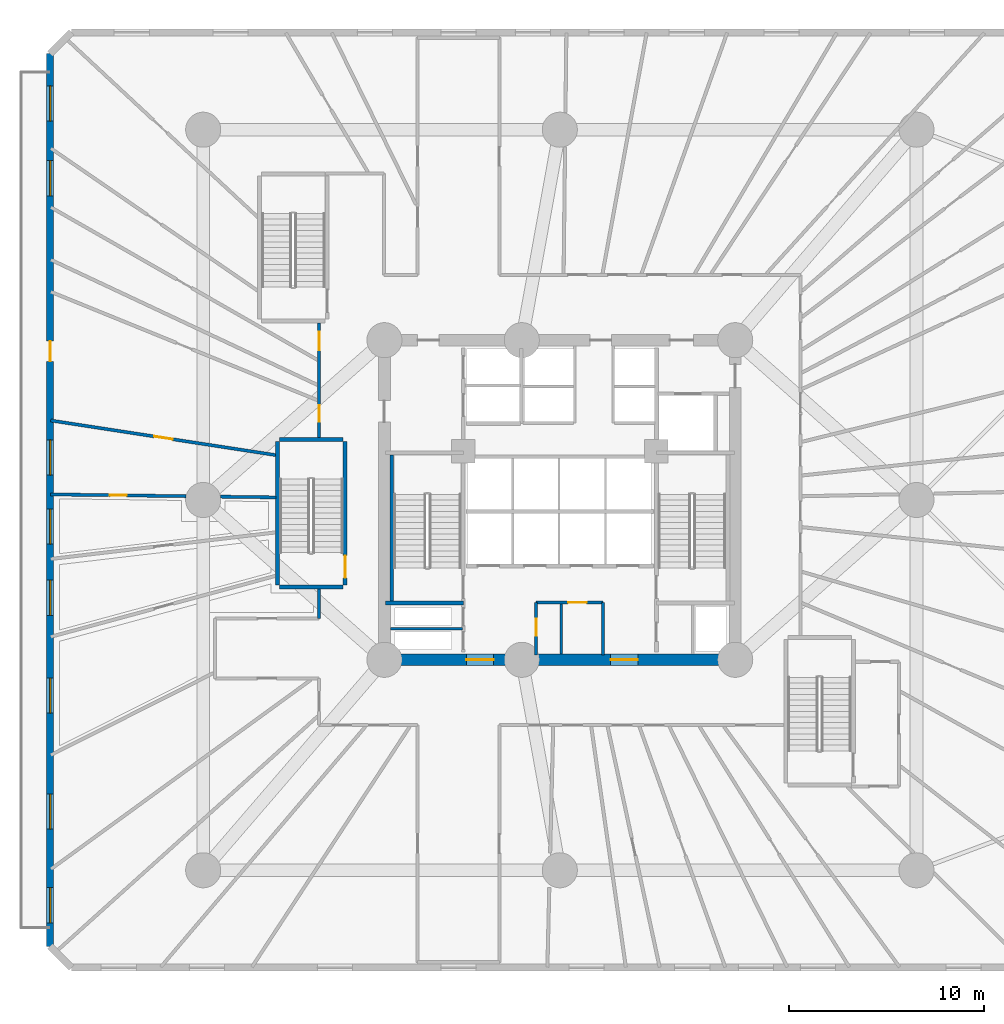
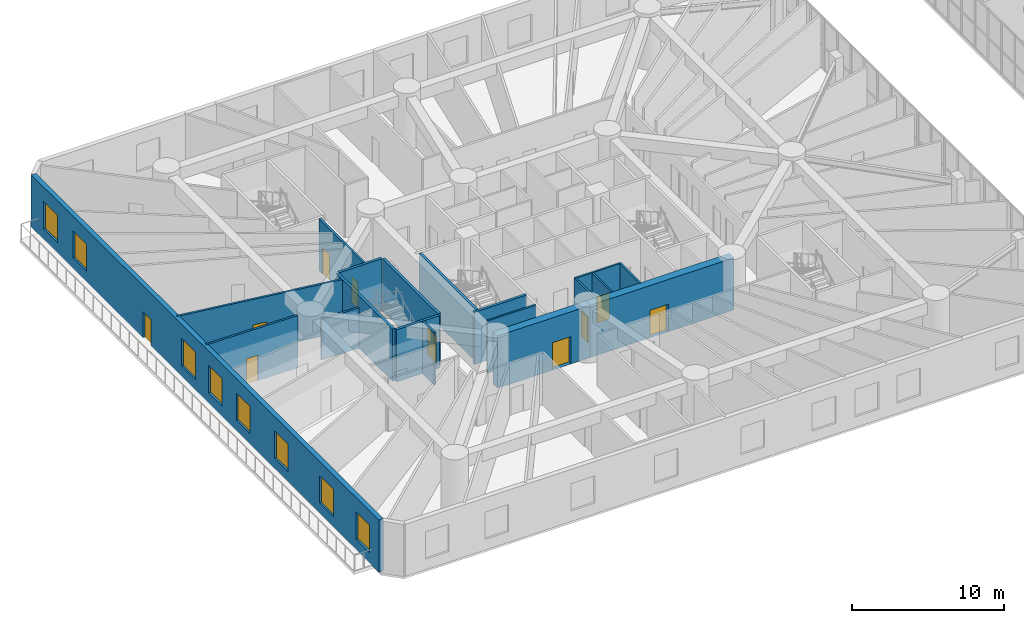
# One storey, part 14 of 26: 19 walls, 10 doors, 8 windows, 18 openings.
"""IFC4 building model written with IfcOpenShell, lengths in metres."""

from ifc_helpers import new_model, si_unit, direction, frame, frame_2d, origin, origin_with_axes, place, context, subcontext, project, spatial, rectangle, extrude, source, transform, mapped, material, layer, layer_set, type_object, element, fill, save


model = new_model("IFC4")

# Units and contexts
model_context = context("Model", 3, precision=1e-05, world=origin(), true_north=direction((0.0, 1.0)))
body_context = subcontext(model_context, "Body", "Model", "MODEL_VIEW")
ifc_project = project(units=[si_unit("LENGTHUNIT", "METRE"), si_unit("AREAUNIT", "SQUARE_METRE"), si_unit("VOLUMEUNIT", "CUBIC_METRE"), si_unit("PLANEANGLEUNIT", "RADIAN"), si_unit("MASSUNIT", "GRAM", prefix="KILO")], contexts=[model_context])

# Site, building, storey
site_placement = place(None, origin())
site = spatial("IfcSite", under=ifc_project, at=site_placement, CompositionType="ELEMENT")
building_placement = place(site_placement, origin())
building = spatial("IfcBuilding", under=site, at=building_placement, Name="Karkom Vertical University and Central Library", CompositionType="ELEMENT")
storey_placement = place(building_placement, frame((0.0, 0.0, 4.5)))
storey = spatial("IfcBuildingStorey", under=building, at=storey_placement, Name="L01", CompositionType="ELEMENT", Elevation=4.5)

# Wall, openings, windows, door
ifc_material_1 = material(Name="Brick masonry 360mm insulated cavity", Category="masonry")
ifc_layer_1 = layer(ifc_material_1, 0.360107421875)
ifc_layer_set_1 = layer_set([ifc_layer_1], Name="Brick masonry 360mm insulated cavity")
wall_type_1 = type_object("IfcWallType", Name="ENV-WL-BRK-360", PredefinedType="SOLIDWALL", material=ifc_layer_set_1)
wall_1_placement = place(storey_placement, frame((2.35009765625, 49.39990234375, 0.0), z_axis=(0.0, 0.0, 1.0), x_axis=(0.0, -1.0, 0.0)))
wall_1 = element("IfcWall", 1, at=wall_1_placement, inside=storey, type_object=wall_type_1, Name="Level 01 POD Terracotta Brick Facade Wall 07", PredefinedType="SOLIDWALL", context=body_context, shape_type="SweptSolid", body=[
    extrude(rectangle(XDim=45.7998046875, YDim=0.360107421875, at=frame_2d((22.89990234375, 0.0))), origin(), (0.0, 0.0, 1.0), 4.199951171875),
])
opening_1_placement = place(wall_1_placement, frame((1.655029296875, 0.0, 0.85009765625)))
opening_1 = element("IfcOpeningElement", 2, at=opening_1_placement, cuts=wall_1, Name="Opening WN-01", PredefinedType="OPENING", context=body_context, shape_type="SweptSolid", body=[
    extrude(rectangle(XDim=1.800048828125, YDim=2.199951171875, at=frame_2d((0.89990234375, 1.10009765625))), frame((0.0, 0.18994140625, 0.0), z_axis=(0.0, -1.0, 0.0), x_axis=(1.0, 0.0, 0.0)), (0.0, 0.0, 1.0), 0.380126953125),
])
opening_2_placement = place(wall_1_placement, frame((5.4892578125, 0.0, 0.85009765625)))
opening_2 = element("IfcOpeningElement", 3, at=opening_2_placement, cuts=wall_1, Name="Opening WN-01", PredefinedType="OPENING", context=body_context, shape_type="SweptSolid", body=[
    extrude(rectangle(XDim=1.800048828125, YDim=2.199951171875, at=frame_2d((0.89990234375, 1.10009765625))), frame((0.0, 0.18994140625, 0.0), z_axis=(0.0, -1.0, 0.0), x_axis=(1.0, 0.0, 0.0)), (0.0, 0.0, 1.0), 0.380126953125),
])
opening_3_placement = place(wall_1_placement, frame((19.81982421875, 0.0, 0.85009765625)))
opening_3 = element("IfcOpeningElement", 4, at=opening_3_placement, cuts=wall_1, Name="Opening WN-01", PredefinedType="OPENING", context=body_context, shape_type="SweptSolid", body=[
    extrude(rectangle(XDim=1.800048828125, YDim=2.199951171875, at=frame_2d((0.89990234375, 1.10009765625))), frame((0.0, 0.18994140625, 0.0), z_axis=(0.0, -1.0, 0.0), x_axis=(1.0, 0.0, 0.0)), (0.0, 0.0, 1.0), 0.380126953125),
])
opening_4_placement = place(wall_1_placement, frame((23.368408203125, 0.0, 0.85009765625)))
opening_4 = element("IfcOpeningElement", 5, at=opening_4_placement, cuts=wall_1, Name="Opening WN-01", PredefinedType="OPENING", context=body_context, shape_type="SweptSolid", body=[
    extrude(rectangle(XDim=1.800048828125, YDim=2.199951171875, at=frame_2d((0.89990234375, 1.10009765625))), frame((0.0, 0.18994140625, 0.0), z_axis=(0.0, -1.0, 0.0), x_axis=(1.0, 0.0, 0.0)), (0.0, 0.0, 1.0), 0.380126953125),
])
opening_5_placement = place(wall_1_placement, frame((27.01611328125, 0.0, 0.85009765625)))
opening_5 = element("IfcOpeningElement", 6, at=opening_5_placement, cuts=wall_1, Name="Opening WN-01", PredefinedType="OPENING", context=body_context, shape_type="SweptSolid", body=[
    extrude(rectangle(XDim=1.800048828125, YDim=2.199951171875, at=frame_2d((0.89990234375, 1.10009765625))), frame((0.0, 0.18994140625, 0.0), z_axis=(0.0, -1.0, 0.0), x_axis=(1.0, 0.0, 0.0)), (0.0, 0.0, 1.0), 0.380126953125),
])
opening_6_placement = place(wall_1_placement, frame((32.038818359375, 0.0, 0.85009765625)))
opening_6 = element("IfcOpeningElement", 7, at=opening_6_placement, cuts=wall_1, Name="Opening WN-01", PredefinedType="OPENING", context=body_context, shape_type="SweptSolid", body=[
    extrude(rectangle(XDim=1.800048828125, YDim=2.199951171875, at=frame_2d((0.89990234375, 1.10009765625))), frame((0.0, 0.18994140625, 0.0), z_axis=(0.0, -1.0, 0.0), x_axis=(1.0, 0.0, 0.0)), (0.0, 0.0, 1.0), 0.380126953125),
])
opening_7_placement = place(wall_1_placement, frame((37.994384765625, 0.0, 0.85009765625)))
opening_7 = element("IfcOpeningElement", 8, at=opening_7_placement, cuts=wall_1, Name="Opening WN-01", PredefinedType="OPENING", context=body_context, shape_type="SweptSolid", body=[
    extrude(rectangle(XDim=1.800048828125, YDim=2.199951171875, at=frame_2d((0.89990234375, 1.10009765625))), frame((0.0, 0.18994140625, 0.0), z_axis=(0.0, -1.0, 0.0), x_axis=(1.0, 0.0, 0.0)), (0.0, 0.0, 1.0), 0.380126953125),
])
opening_8_placement = place(wall_1_placement, frame((42.795166015625, 0.0, 0.85009765625)))
opening_8 = element("IfcOpeningElement", 9, at=opening_8_placement, cuts=wall_1, Name="Opening WN-01", PredefinedType="OPENING", context=body_context, shape_type="SweptSolid", body=[
    extrude(rectangle(XDim=1.800048828125, YDim=2.199951171875, at=frame_2d((0.89990234375, 1.10009765625))), frame((0.0, 0.18994140625, 0.0), z_axis=(0.0, -1.0, 0.0), x_axis=(1.0, 0.0, 0.0)), (0.0, 0.0, 1.0), 0.380126953125),
])
opening_9_placement = place(wall_1_placement, frame((14.74169921875, 0.0, 0.0)))
opening_9 = element("IfcOpeningElement", 10, at=opening_9_placement, cuts=wall_1, Name="Opening TD-1", PredefinedType="OPENING", context=body_context, shape_type="SweptSolid", body=[
    extrude(rectangle(XDim=1.050048828125, YDim=2.1201171875, at=frame_2d((0.52490234375, 1.06005859375))), frame((0.0, 0.18994140625, 0.0), z_axis=(0.0, -1.0, 0.0), x_axis=(1.0, 0.0, 0.0)), (0.0, 0.0, 1.0), 0.380126953125),
])
ifc_material_2 = material(Name="Aluminium thermal-break frame with solar-control IGU", Category="aluminium")
window_type = type_object("IfcWindowType", Name="ENV-WIN-WN-01", PartitioningType="SINGLE_PANEL", PredefinedType="WINDOW", material=ifc_material_2)
shared_shape_1 = source(origin_with_axes(), body_context, "Body", "SweptSolid", [
    extrude(rectangle(XDim=1.800048828125, YDim=2.199951171875, at=frame_2d((0.89990234375, 1.10009765625))), frame((0.0, 0.030029296875, 0.0), z_axis=(0.0, -1.0, 0.0), x_axis=(1.0, 0.0, 0.0)), (0.0, 0.0, 1.0), 0.06005859375),
])
window_1_placement = place(opening_1_placement, origin())
window_1 = element("IfcWindow", 11, at=window_1_placement, inside=storey, type_object=window_type, Name="Level 01 POD Punched Window 01", OverallHeight=2.199951171875, OverallWidth=1.800048828125, PartitioningType="SINGLE_PANEL", PredefinedType="WINDOW", context=body_context, shape_type="MappedRepresentation", body=[
    mapped(shared_shape_1, transform((0.0, 0.0, 0.0), scale=1.0)),
])
fill(opening_1, window_1)
window_2_placement = place(opening_2_placement, origin())
window_2 = element("IfcWindow", 12, at=window_2_placement, inside=storey, type_object=window_type, Name="Level 01 POD Punched Window 02", OverallHeight=2.199951171875, OverallWidth=1.800048828125, PartitioningType="SINGLE_PANEL", PredefinedType="WINDOW", context=body_context, shape_type="MappedRepresentation", body=[
    mapped(shared_shape_1, transform((0.0, 0.0, 0.0), scale=1.0)),
])
fill(opening_2, window_2)
window_3_placement = place(opening_3_placement, origin())
window_3 = element("IfcWindow", 13, at=window_3_placement, inside=storey, type_object=window_type, Name="Level 01 POD Punched Window 04", OverallHeight=2.199951171875, OverallWidth=1.800048828125, PartitioningType="SINGLE_PANEL", PredefinedType="WINDOW", context=body_context, shape_type="MappedRepresentation", body=[
    mapped(shared_shape_1, transform((0.0, 0.0, 0.0), scale=1.0)),
])
fill(opening_3, window_3)
window_4_placement = place(opening_4_placement, origin())
window_4 = element("IfcWindow", 14, at=window_4_placement, inside=storey, type_object=window_type, Name="Level 01 POD Punched Window 05", OverallHeight=2.199951171875, OverallWidth=1.800048828125, PartitioningType="SINGLE_PANEL", PredefinedType="WINDOW", context=body_context, shape_type="MappedRepresentation", body=[
    mapped(shared_shape_1, transform((0.0, 0.0, 0.0), scale=1.0)),
])
fill(opening_4, window_4)
window_5_placement = place(opening_5_placement, origin())
window_5 = element("IfcWindow", 15, at=window_5_placement, inside=storey, type_object=window_type, Name="Level 01 POD Punched Window 06", OverallHeight=2.199951171875, OverallWidth=1.800048828125, PartitioningType="SINGLE_PANEL", PredefinedType="WINDOW", context=body_context, shape_type="MappedRepresentation", body=[
    mapped(shared_shape_1, transform((0.0, 0.0, 0.0), scale=1.0)),
])
fill(opening_5, window_5)
window_6_placement = place(opening_6_placement, origin())
window_6 = element("IfcWindow", 16, at=window_6_placement, inside=storey, type_object=window_type, Name="Level 01 POD Punched Window 07", OverallHeight=2.199951171875, OverallWidth=1.800048828125, PartitioningType="SINGLE_PANEL", PredefinedType="WINDOW", context=body_context, shape_type="MappedRepresentation", body=[
    mapped(shared_shape_1, transform((0.0, 0.0, 0.0), scale=1.0)),
])
fill(opening_6, window_6)
window_7_placement = place(opening_7_placement, origin())
window_7 = element("IfcWindow", 17, at=window_7_placement, inside=storey, type_object=window_type, Name="Level 01 POD Punched Window 08", OverallHeight=2.199951171875, OverallWidth=1.800048828125, PartitioningType="SINGLE_PANEL", PredefinedType="WINDOW", context=body_context, shape_type="MappedRepresentation", body=[
    mapped(shared_shape_1, transform((0.0, 0.0, 0.0), scale=1.0)),
])
fill(opening_7, window_7)
window_8_placement = place(opening_8_placement, origin())
window_8 = element("IfcWindow", 18, at=window_8_placement, inside=storey, type_object=window_type, Name="Level 01 POD Punched Window 09", OverallHeight=2.199951171875, OverallWidth=1.800048828125, PartitioningType="SINGLE_PANEL", PredefinedType="WINDOW", context=body_context, shape_type="MappedRepresentation", body=[
    mapped(shared_shape_1, transform((0.0, 0.0, 0.0), scale=1.0)),
])
fill(opening_8, window_8)
ifc_material_3 = material(Name="Thermally broken glazed aluminium terrace door", Category="aluminium")
door_type_1 = type_object("IfcDoorType", Name="ENV-DR-TERR", OperationType="NOTDEFINED", PredefinedType="DOOR", material=ifc_material_3)
shared_shape_2 = source(origin_with_axes(), body_context, "Body", "SweptSolid", [
    extrude(rectangle(XDim=1.050048828125, YDim=2.1201171875, at=frame_2d((0.52490234375, 1.06005859375))), frame((0.0, 0.02490234375, 0.0), z_axis=(0.0, -1.0, 0.0), x_axis=(1.0, 0.0, 0.0)), (0.0, 0.0, 1.0), 0.050048828125),
])
door_1_placement = place(opening_9_placement, origin())
door_1 = element("IfcDoor", 19, at=door_1_placement, inside=storey, type_object=door_type_1, Name="Level 01 Outdoor Terrace Access Door", OperationType="SINGLE_SWING_LEFT", OverallHeight=2.1201171875, OverallWidth=1.050048828125, PredefinedType="DOOR", context=body_context, shape_type="MappedRepresentation", body=[
    mapped(shared_shape_2, transform((0.0, 0.0, 0.0), scale=1.0)),
])
fill(opening_9, door_1)

# Wall, opening, door
ifc_material_4 = material(Name="Insulated metal-stud drywall 160mm", Category="gypsum")
ifc_layer_2 = layer(ifc_material_4, 0.159912109375)
ifc_layer_set_2 = layer_set([ifc_layer_2], Name="Insulated metal-stud drywall 160mm")
wall_type_2 = type_object("IfcWallType", Name="INT-WL-COR-160", PredefinedType="PARTITIONING", material=ifc_layer_set_2)
wall_2_placement = place(storey_placement, frame((13.9130859375, 28.8046875, 0.0), z_axis=(0.0, 0.0, 1.0), x_axis=(-0.988375807734, 0.15203046631, 0.0)))
wall_2 = element("IfcWall", 20, at=wall_2_placement, inside=storey, type_object=wall_type_2, Name="Level 01 Interior Partition Wall Level 01-PODW-45-46-1", PredefinedType="PARTITIONING", context=body_context, shape_type="SweptSolid", body=[
    extrude(rectangle(XDim=11.673095703125, YDim=0.159912109375, at=frame_2d((5.83642578125, 0.0))), origin(), (0.0, 0.0, 1.0), 4.199951171875),
])
opening_10_placement = place(wall_2_placement, frame((5.343994140625, 0.0, 0.0)))
opening_10 = element("IfcOpeningElement", 21, at=opening_10_placement, cuts=wall_2, Name="Opening FD-RM2", PredefinedType="OPENING", context=body_context, shape_type="SweptSolid", body=[
    extrude(rectangle(XDim=0.9599609375, YDim=2.14990234375, at=frame_2d((0.47998046875, 1.074951171875))), frame((0.0, 0.08984375, 0.0), z_axis=(0.0, -1.0, 0.0), x_axis=(1.0, 0.0, 0.0)), (0.0, 0.0, 1.0), 0.179931640625),
])
ifc_material_5 = material(Name="Fire-rated oak veneer door", Category="wood")
door_type_2 = type_object("IfcDoorType", Name="INT-DR-FRM2", OperationType="NOTDEFINED", PredefinedType="DOOR", material=ifc_material_5)
shared_shape_3 = source(origin_with_axes(), body_context, "Body", "SweptSolid", [
    extrude(rectangle(XDim=0.9599609375, YDim=2.14990234375, at=frame_2d((0.47998046875, 1.074951171875))), frame((0.0, 0.02490234375, 0.0), z_axis=(0.0, -1.0, 0.0), x_axis=(1.0, 0.0, 0.0)), (0.0, 0.0, 1.0), 0.050048828125),
])
door_2_placement = place(opening_10_placement, origin())
door_2 = element("IfcDoor", 22, at=door_2_placement, inside=storey, type_object=door_type_2, Name="Level 01 Room Entry Door 845", OperationType="SINGLE_SWING_RIGHT", OverallHeight=2.14990234375, OverallWidth=0.9599609375, PredefinedType="DOOR", context=body_context, shape_type="MappedRepresentation", body=[
    mapped(shared_shape_3, transform((0.0, 0.0, 0.0), scale=1.0)),
])
fill(opening_10, door_2)

wall_3_placement = place(storey_placement, frame((2.375, 26.78662109375, 0.0), z_axis=(0.0, 0.0, 1.0), x_axis=(0.999911940712, -0.013270675267, 0.0)))
wall_3 = element("IfcWall", 23, at=wall_3_placement, inside=storey, type_object=wall_type_2, Name="Level 01 Interior Partition Wall Level 01-PODW-01-46-1", PredefinedType="PARTITIONING", context=body_context, shape_type="SweptSolid", body=[
    extrude(rectangle(XDim=6.935791015625, YDim=0.159912109375, at=frame_2d((3.4677734375, 0.0))), origin(), (0.0, 0.0, 1.0), 4.199951171875),
])
opening_11_placement = place(wall_3_placement, frame((3.037841796875, 0.0, 0.0)))
opening_11 = element("IfcOpeningElement", 24, at=opening_11_placement, cuts=wall_3, Name="Opening FD-BTH2", PredefinedType="OPENING", context=body_context, shape_type="SweptSolid", body=[
    extrude(rectangle(XDim=0.860107421875, YDim=2.0400390625, at=frame_2d((0.43017578125, 1.02001953125))), frame((0.0, 0.08984375, 0.0), z_axis=(0.0, -1.0, 0.0), x_axis=(1.0, 0.0, 0.0)), (0.0, 0.0, 1.0), 0.179931640625),
])
ifc_material_6 = material(Name="Fire-rated moisture-resistant oak door", Category="wood")
door_type_3 = type_object("IfcDoorType", Name="INT-DR-FBTH2", OperationType="NOTDEFINED", PredefinedType="DOOR", material=ifc_material_6)
shared_shape_4 = source(origin_with_axes(), body_context, "Body", "SweptSolid", [
    extrude(rectangle(XDim=0.860107421875, YDim=2.0400390625, at=frame_2d((0.43017578125, 1.02001953125))), frame((0.0, 0.02490234375, 0.0), z_axis=(0.0, -1.0, 0.0), x_axis=(1.0, 0.0, 0.0)), (0.0, 0.0, 1.0), 0.050048828125),
])
door_3_placement = place(opening_11_placement, origin())
door_3 = element("IfcDoor", 25, at=door_3_placement, inside=storey, type_object=door_type_3, Name="Level 01 Lecture Classroom B Entry Door", OperationType="SINGLE_SWING_LEFT", OverallHeight=2.0400390625, OverallWidth=0.860107421875, PredefinedType="DOOR", context=body_context, shape_type="MappedRepresentation", body=[
    mapped(shared_shape_4, transform((0.0, 0.0, 0.0), scale=1.0)),
])
fill(opening_11, door_3)

# Wall, openings, doors
wall_4_placement = place(storey_placement, frame((16.14990234375, 29.7119140625, 0.0), z_axis=(0.0, 0.0, 1.0), x_axis=(0.0, 1.0, 0.0)))
wall_4 = element("IfcWall", 26, at=wall_4_placement, inside=storey, type_object=wall_type_2, Name="Level 01 Interior Partition Wall Level 01-PDCW-CW-001", PredefinedType="PARTITIONING", context=body_context, shape_type="SweptSolid", body=[
    extrude(rectangle(XDim=5.86083984375, YDim=0.159912109375, at=frame_2d((2.930419921875, 0.0))), origin(), (0.0, 0.0, 1.0), 4.199951171875),
])
opening_12_placement = place(wall_4_placement, frame((4.46240234375, 0.0, 0.0)))
opening_12 = element("IfcOpeningElement", 27, at=opening_12_placement, cuts=wall_4, Name="Opening FD-RM2", PredefinedType="OPENING", context=body_context, shape_type="SweptSolid", body=[
    extrude(rectangle(XDim=0.9599609375, YDim=2.14990234375, at=frame_2d((0.47998046875, 1.074951171875))), frame((0.0, 0.08984375, 0.0), z_axis=(0.0, -1.0, 0.0), x_axis=(1.0, 0.0, 0.0)), (0.0, 0.0, 1.0), 0.179931640625),
])
opening_13_placement = place(wall_4_placement, frame((0.800048828125, 0.0, 0.0)))
opening_13 = element("IfcOpeningElement", 28, at=opening_13_placement, cuts=wall_4, Name="Opening FD-BTH1", PredefinedType="OPENING", context=body_context, shape_type="SweptSolid", body=[
    extrude(rectangle(XDim=0.860107421875, YDim=2.10009765625, at=frame_2d((0.43017578125, 1.050048828125))), frame((0.0, 0.08984375, 0.0), z_axis=(0.0, -1.0, 0.0), x_axis=(1.0, 0.0, 0.0)), (0.0, 0.0, 1.0), 0.179931640625),
])
door_4_placement = place(opening_12_placement, origin())
door_4 = element("IfcDoor", 29, at=door_4_placement, inside=storey, type_object=door_type_2, Name="Level 01 Room Entry Door 840", OperationType="SINGLE_SWING_RIGHT", OverallHeight=2.14990234375, OverallWidth=0.9599609375, PredefinedType="DOOR", context=body_context, shape_type="MappedRepresentation", body=[
    mapped(shared_shape_3, transform((0.0, 0.0, 0.0), scale=1.0)),
])
fill(opening_12, door_4)
door_type_4 = type_object("IfcDoorType", Name="INT-DR-FBTH1", OperationType="NOTDEFINED", PredefinedType="DOOR", material=ifc_material_6)
shared_shape_5 = source(origin_with_axes(), body_context, "Body", "SweptSolid", [
    extrude(rectangle(XDim=0.860107421875, YDim=2.10009765625, at=frame_2d((0.43017578125, 1.050048828125))), frame((0.0, 0.02490234375, 0.0), z_axis=(0.0, -1.0, 0.0), x_axis=(1.0, 0.0, 0.0)), (0.0, 0.0, 1.0), 0.050048828125),
])
door_5_placement = place(opening_13_placement, origin())
door_5 = element("IfcDoor", 30, at=door_5_placement, inside=storey, type_object=door_type_4, Name="Level 01 Room Entry Door 841", OperationType="SINGLE_SWING_LEFT", OverallHeight=2.10009765625, OverallWidth=0.860107421875, PredefinedType="DOOR", context=body_context, shape_type="MappedRepresentation", body=[
    mapped(shared_shape_5, transform((0.0, 0.0, 0.0), scale=1.0)),
])
fill(opening_13, door_5)

# Walls
wall_5_placement = place(storey_placement, frame((11.090087890625, 26.6708984375, 0.0), z_axis=(0.0, 0.0, 1.0), x_axis=(0.999912250818, -0.013247288939, 0.0)))
element("IfcWall", 31, at=wall_5_placement, inside=storey, type_object=wall_type_2, Name="Level 01 Interior Partition Wall Level 01-PODW-01-46-2", PredefinedType="PARTITIONING", context=body_context, shape_type="SweptSolid", body=[
    extrude(rectangle(XDim=2.838134765625, YDim=0.159912109375, at=frame_2d((1.4189453125, 0.0))), origin(), (0.0, 0.0, 1.0), 3.25),
])
wall_6_placement = place(storey_placement, frame((16.14990234375, 20.419921875, 0.0), z_axis=(0.0, 0.0, 1.0), x_axis=(0.0, 1.0, 0.0)))
element("IfcWall", 32, at=wall_6_placement, inside=storey, type_object=wall_type_2, Name="Level 01 Interior Partition Wall Level 01-PDCW-CW-019", PredefinedType="PARTITIONING", context=body_context, shape_type="SweptSolid", body=[
    extrude(rectangle(XDim=1.51806640625, YDim=0.159912109375, at=frame_2d((0.759033203125, 0.0))), origin(), (0.0, 0.0, 1.0), 4.199951171875),
])
ifc_material_7 = material(Name="Moisture-resistant drywall 120mm", Category="gypsum")
ifc_layer_3 = layer(ifc_material_7, 0.1201171875)
ifc_layer_set_3 = layer_set([ifc_layer_3], Name="Moisture-resistant drywall 120mm")
wall_type_3 = type_object("IfcWallType", Name="INT-WL-INT-120", PredefinedType="PARTITIONING", material=ifc_layer_set_3)
wall_7_placement = place(storey_placement, frame((28.580078125, 18.60693359375, 0.0), z_axis=(0.0, 0.0, 1.0), x_axis=(0.0, 1.0, 0.0)))
element("IfcWall", 33, at=wall_7_placement, inside=storey, type_object=wall_type_3, Name="Level 01 Interior Partition Wall Level 01-CW-K2-DIV", PredefinedType="PARTITIONING", context=body_context, shape_type="SweptSolid", body=[
    extrude(rectangle(XDim=2.560302734375, YDim=0.1201171875, at=frame_2d((1.2802734375, 0.0))), origin(), (0.0, 0.0, 1.0), 4.199951171875),
])

# Wall, opening, door
ifc_material_8 = material(Name="Metal-stud gypsum partition 140mm", Category="gypsum")
ifc_layer_4 = layer(ifc_material_8, 0.139892578125)
ifc_layer_set_4 = layer_set([ifc_layer_4], Name="Metal-stud gypsum partition 140mm")
wall_type_4 = type_object("IfcWallType", Name="INT-WL-SUB-140", PredefinedType="PARTITIONING", material=ifc_layer_set_4)
wall_8_placement = place(storey_placement, frame((27.280029296875, 21.239990234375, 0.0), z_axis=(0.0, 0.0, 1.0), x_axis=(1.0, 0.0, 0.0)))
wall_8 = element("IfcWall", 34, at=wall_8_placement, inside=storey, type_object=wall_type_4, Name="Level 01 Interior Partition Wall Level 01-CW-KBAY-N", PredefinedType="PARTITIONING", context=body_context, shape_type="SweptSolid", body=[
    extrude(rectangle(XDim=3.43994140625, YDim=0.139892578125, at=frame_2d((1.719970703125, 0.0))), origin(), (0.0, 0.0, 1.0), 4.199951171875),
])
opening_14_placement = place(wall_8_placement, frame((1.64990234375, 0.0, 0.0)))
opening_14 = element("IfcOpeningElement", 35, at=opening_14_placement, cuts=wall_8, Name="Opening D-WC1", PredefinedType="OPENING", context=body_context, shape_type="SweptSolid", body=[
    extrude(rectangle(XDim=0.93994140625, YDim=2.10009765625, at=frame_2d((0.469970703125, 1.050048828125))), frame((0.0, 0.080078125, 0.0), z_axis=(0.0, -1.0, 0.0), x_axis=(1.0, 0.0, 0.0)), (0.0, 0.0, 1.0), 0.159912109375),
])
ifc_material_9 = material(Name="Fire-rated laminate moisture-resistant door", Category="wood")
door_type_5 = type_object("IfcDoorType", Name="INT-DR-WC1", OperationType="NOTDEFINED", PredefinedType="DOOR", material=ifc_material_9)
shared_shape_6 = source(origin_with_axes(), body_context, "Body", "SweptSolid", [
    extrude(rectangle(XDim=0.93994140625, YDim=2.10009765625, at=frame_2d((0.469970703125, 1.050048828125))), frame((0.0, 0.02490234375, 0.0), z_axis=(0.0, -1.0, 0.0), x_axis=(1.0, 0.0, 0.0)), (0.0, 0.0, 1.0), 0.050048828125),
])
door_6_placement = place(opening_14_placement, origin())
door_6 = element("IfcDoor", 36, at=door_6_placement, inside=storey, type_object=door_type_5, Name="Level 01 Staff WC Door", OperationType="SINGLE_SWING_RIGHT", OverallHeight=2.10009765625, OverallWidth=0.93994140625, PredefinedType="DOOR", context=body_context, shape_type="MappedRepresentation", body=[
    mapped(shared_shape_6, transform((0.0, 0.0, 0.0), scale=1.0)),
])
fill(opening_14, door_6)

wall_9_placement = place(storey_placement, frame((27.280029296875, 18.550048828125, 0.0), z_axis=(0.0, 0.0, 1.0), x_axis=(0.0, 1.0, 0.0)))
wall_9 = element("IfcWall", 37, at=wall_9_placement, inside=storey, type_object=wall_type_4, Name="Level 01 Interior Partition Wall Level 01-CW-KBAY-W", PredefinedType="PARTITIONING", context=body_context, shape_type="SweptSolid", body=[
    extrude(rectangle(XDim=2.68994140625, YDim=0.139892578125, at=frame_2d((1.344970703125, 0.0))), origin(), (0.0, 0.0, 1.0), 4.199951171875),
])
opening_15_placement = place(wall_9_placement, frame((0.989990234375, 0.0, 0.0)))
opening_15 = element("IfcOpeningElement", 38, at=opening_15_placement, cuts=wall_9, Name="Opening D-BATH", PredefinedType="OPENING", context=body_context, shape_type="SweptSolid", body=[
    extrude(rectangle(XDim=0.860107421875, YDim=2.10009765625, at=frame_2d((0.43017578125, 1.050048828125))), frame((0.0, 0.080078125, 0.0), z_axis=(0.0, -1.0, 0.0), x_axis=(1.0, 0.0, 0.0)), (0.0, 0.0, 1.0), 0.159912109375),
])
ifc_material_10 = material(Name="Moisture-resistant oak door", Category="wood")
door_type_6 = type_object("IfcDoorType", Name="INT-DR-BATH", OperationType="NOTDEFINED", PredefinedType="DOOR", material=ifc_material_10)
door_7_placement = place(opening_15_placement, origin())
door_7 = element("IfcDoor", 39, at=door_7_placement, inside=storey, type_object=door_type_6, Name="Level 01 Cleaners Store Door", OperationType="SINGLE_SWING_LEFT", OverallHeight=2.10009765625, OverallWidth=0.860107421875, PredefinedType="DOOR", context=body_context, shape_type="MappedRepresentation", body=[
    mapped(shared_shape_5, transform((0.0, 0.0, 0.0), scale=1.0)),
])
fill(opening_15, door_7)

# Walls
wall_10_placement = place(storey_placement, frame((30.719970703125, 18.550048828125, 0.0), z_axis=(0.0, 0.0, 1.0), x_axis=(0.0, 1.0, 0.0)))
element("IfcWall", 40, at=wall_10_placement, inside=storey, type_object=wall_type_4, Name="Level 01 Interior Partition Wall Level 01-CW-KBAY-E", PredefinedType="PARTITIONING", context=body_context, shape_type="SweptSolid", body=[
    extrude(rectangle(XDim=2.68994140625, YDim=0.139892578125, at=frame_2d((1.344970703125, 0.0))), origin(), (0.0, 0.0, 1.0), 4.199951171875),
])
ifc_layer_5 = layer(ifc_material_8, 0.139892578125)
ifc_layer_set_5 = layer_set([ifc_layer_5], Name="Metal-stud gypsum partition 140mm")
wall_type_5 = type_object("IfcWallType", Name="INT-WL-SUB-140H", PredefinedType="PARTITIONING", material=ifc_layer_set_5)
wall_11_placement = place(storey_placement, frame((19.806884765625, 19.889892578125, 0.0), z_axis=(0.0, 0.0, 1.0), x_axis=(1.0, 0.0, 0.0)))
element("IfcWall", 41, at=wall_11_placement, inside=storey, type_object=wall_type_5, Name="Level 01 Interior Partition Wall Level 01-CW-RIS-W", PredefinedType="PARTITIONING", context=body_context, shape_type="SweptSolid", body=[
    extrude(rectangle(XDim=3.68896484375, YDim=0.139892578125, at=frame_2d((1.844482421875, 0.0))), origin(), (0.0, 0.0, 1.0), 4.199951171875),
])

# Wall, opening, door
ifc_material_11 = material(Name="Concrete C50/60", Category="concrete")
ifc_layer_6 = layer(ifc_material_11, 0.60009765625)
ifc_layer_set_6 = layer_set([ifc_layer_6], Name="Concrete C50/60")
wall_type_6 = type_object("IfcWallType", Name="STR-WL-CW-600", PredefinedType="SHEAR", material=ifc_layer_set_6)
wall_12_placement = place(storey_placement, frame((19.5, 18.300048828125, 0.0), z_axis=(0.0, 0.0, 1.0), x_axis=(1.0, 0.0, 0.0)))
wall_12 = element("IfcWall", 42, at=wall_12_placement, inside=storey, type_object=wall_type_6, Name="Level 01 Central Core Shear Wall SW1", PredefinedType="SHEAR", context=body_context, shape_type="SweptSolid", body=[
    extrude(rectangle(XDim=7.050048828125, YDim=0.60009765625, at=frame_2d((3.52490234375, 0.0))), origin(), (0.0, 0.0, 1.0), 4.199951171875),
])
opening_16_placement = place(wall_12_placement, frame((4.199951171875, 0.0, 0.0)))
opening_16 = element("IfcOpeningElement", 43, at=opening_16_placement, cuts=wall_12, Name="Opening FD-CLB", PredefinedType="OPENING", context=body_context, shape_type="SweptSolid", body=[
    extrude(rectangle(XDim=1.39990234375, YDim=2.199951171875, at=frame_2d((0.699951171875, 1.10009765625))), frame((0.0, 0.31005859375, 0.0), z_axis=(0.0, -1.0, 0.0), x_axis=(1.0, 0.0, 0.0)), (0.0, 0.0, 1.0), 0.6201171875),
])
ifc_material_12 = material(Name="Painted steel fire door", Category="steel")
door_type_7 = type_object("IfcDoorType", Name="INT-DR-CLB", OperationType="DOUBLE_DOOR_SINGLE_SWING", PredefinedType="DOOR", material=ifc_material_12)
shared_shape_7 = source(origin_with_axes(), body_context, "Body", "SweptSolid", [
    extrude(rectangle(XDim=1.39990234375, YDim=2.199951171875, at=frame_2d((0.699951171875, 1.10009765625))), frame((0.0, 0.02490234375, 0.0), z_axis=(0.0, -1.0, 0.0), x_axis=(1.0, 0.0, 0.0)), (0.0, 0.0, 1.0), 0.050048828125),
])
door_8_placement = place(opening_16_placement, origin())
door_8 = element("IfcDoor", 44, at=door_8_placement, inside=storey, type_object=door_type_7, Name="Level 01 South Core Lobby West Exit Door", OperationType="DOUBLE_DOOR_SINGLE_SWING", OverallHeight=2.199951171875, OverallWidth=1.39990234375, PredefinedType="DOOR", context=body_context, shape_type="MappedRepresentation", body=[
    mapped(shared_shape_7, transform((0.0, 0.0, 0.0), scale=1.0)),
])
fill(opening_16, door_8)

wall_13_placement = place(storey_placement, frame((26.550048828125, 18.300048828125, 0.0), z_axis=(0.0, 0.0, 1.0), x_axis=(1.0, 0.0, 0.0)))
wall_13 = element("IfcWall", 45, at=wall_13_placement, inside=storey, type_object=wall_type_6, Name="Level 01 Central Core Shear Wall SW2", PredefinedType="SHEAR", context=body_context, shape_type="SweptSolid", body=[
    extrude(rectangle(XDim=10.949951171875, YDim=0.60009765625, at=frame_2d((5.47509765625, 0.0))), origin(), (0.0, 0.0, 1.0), 4.199951171875),
])
opening_17_placement = place(wall_13_placement, frame((4.550048828125, 0.0, 0.0)))
opening_17 = element("IfcOpeningElement", 46, at=opening_17_placement, cuts=wall_13, Name="Opening FD-CLB", PredefinedType="OPENING", context=body_context, shape_type="SweptSolid", body=[
    extrude(rectangle(XDim=1.39990234375, YDim=2.199951171875, at=frame_2d((0.699951171875, 1.10009765625))), frame((0.0, 0.31005859375, 0.0), z_axis=(0.0, -1.0, 0.0), x_axis=(1.0, 0.0, 0.0)), (0.0, 0.0, 1.0), 0.6201171875),
])
door_9_placement = place(opening_17_placement, origin())
door_9 = element("IfcDoor", 47, at=door_9_placement, inside=storey, type_object=door_type_7, Name="Level 01 South Core Lobby East Exit Door", OperationType="DOUBLE_DOOR_SINGLE_SWING", OverallHeight=2.199951171875, OverallWidth=1.39990234375, PredefinedType="DOOR", context=body_context, shape_type="MappedRepresentation", body=[
    mapped(shared_shape_7, transform((0.0, 0.0, 0.0), scale=1.0)),
])
fill(opening_17, door_9)

# Walls
ifc_material_13 = material(Name="Concrete C45/55", Category="concrete")
ifc_layer_7 = layer(ifc_material_13, 0.199951171875)
ifc_layer_set_7 = layer_set([ifc_layer_7], Name="Concrete C45/55")
wall_type_7 = type_object("IfcWallType", Name="STR-WL-ST-200", PredefinedType="SHEAR", material=ifc_layer_set_7)
wall_14_placement = place(storey_placement, frame((19.875, 21.320068359375, 0.0), z_axis=(0.0, 0.0, 1.0), x_axis=(0.0, 1.0, 0.0)))
element("IfcWall", 48, at=wall_14_placement, inside=storey, type_object=wall_type_7, Name="Level 01 Core Shaft Wall Level 01-CW-ST1-W", PredefinedType="SHEAR", context=body_context, shape_type="SweptSolid", body=[
    extrude(rectangle(XDim=7.5, YDim=0.199951171875, at=frame_2d((3.75, 0.0))), origin(), (0.0, 0.0, 1.0), 4.199951171875),
])
wall_15_placement = place(storey_placement, frame((14.014892578125, 22.14990234375, 0.0), z_axis=(0.0, 0.0, 1.0), x_axis=(0.0, 1.0, 0.0)))
element("IfcWall", 49, at=wall_15_placement, inside=storey, type_object=wall_type_7, Name="Level 01 Core Shaft Wall Level 01-W-ST3-W", PredefinedType="SHEAR", context=body_context, shape_type="SweptSolid", body=[
    extrude(rectangle(XDim=7.35009765625, YDim=0.199951171875, at=frame_2d((3.675048828125, 0.0))), origin(), (0.0, 0.0, 1.0), 4.199951171875),
])

# Wall, opening, door
wall_16_placement = place(storey_placement, frame((17.485107421875, 22.14990234375, 0.0), z_axis=(0.0, 0.0, 1.0), x_axis=(0.0, 1.0, 0.0)))
wall_16 = element("IfcWall", 50, at=wall_16_placement, inside=storey, type_object=wall_type_7, Name="Level 01 Core Shaft Wall Level 01-W-ST3-E", PredefinedType="SHEAR", context=body_context, shape_type="SweptSolid", body=[
    extrude(rectangle(XDim=7.35009765625, YDim=0.199951171875, at=frame_2d((3.675048828125, 0.0))), origin(), (0.0, 0.0, 1.0), 4.199951171875),
])
opening_18_placement = place(wall_16_placement, frame((0.35009765625, 0.0, 0.0)))
opening_18 = element("IfcOpeningElement", 51, at=opening_18_placement, cuts=wall_16, Name="Opening FD-ST1", PredefinedType="OPENING", context=body_context, shape_type="SweptSolid", body=[
    extrude(rectangle(XDim=1.14990234375, YDim=2.14990234375, at=frame_2d((0.574951171875, 1.074951171875))), frame((0.0, 0.10986328125, 0.0), z_axis=(0.0, -1.0, 0.0), x_axis=(1.0, 0.0, 0.0)), (0.0, 0.0, 1.0), 0.219970703125),
])
ifc_material_14 = material(Name="Painted steel acoustic fire door", Category="steel")
door_type_8 = type_object("IfcDoorType", Name="INT-DR-ST1", OperationType="NOTDEFINED", PredefinedType="DOOR", material=ifc_material_14)
shared_shape_8 = source(origin_with_axes(), body_context, "Body", "SweptSolid", [
    extrude(rectangle(XDim=1.14990234375, YDim=2.14990234375, at=frame_2d((0.574951171875, 1.074951171875))), frame((0.0, 0.02490234375, 0.0), z_axis=(0.0, -1.0, 0.0), x_axis=(1.0, 0.0, 0.0)), (0.0, 0.0, 1.0), 0.050048828125),
])
door_10_placement = place(opening_18_placement, origin())
door_10 = element("IfcDoor", 52, at=door_10_placement, inside=storey, type_object=door_type_8, Name="Level 01 ST3 Stair Door", OperationType="SINGLE_SWING_RIGHT", OverallHeight=2.14990234375, OverallWidth=1.14990234375, PredefinedType="DOOR", context=body_context, shape_type="MappedRepresentation", body=[
    mapped(shared_shape_8, transform((0.0, 0.0, 0.0), scale=1.0)),
])
fill(opening_18, door_10)

# Walls
wall_17_placement = place(storey_placement, frame((19.550048828125, 21.215087890625, 0.0), z_axis=(0.0, 0.0, 1.0), x_axis=(1.0, 0.0, 0.0)))
element("IfcWall", 53, at=wall_17_placement, inside=storey, type_object=wall_type_7, Name="Level 01 Core Shaft Wall Level 01-CW-ST1-S", PredefinedType="SHEAR", context=body_context, shape_type="SweptSolid", body=[
    extrude(rectangle(XDim=3.994873046875, YDim=0.199951171875, at=frame_2d((1.99755859375, 0.0))), origin(), (0.0, 0.0, 1.0), 4.199951171875),
])
for number, where, z_axis, x_axis, name in (
    (54, (14.1201171875, 22.044921875, 0.0), (0.0, 0.0, 1.0), (1.0, 0.0, 0.0), "Level 01 Core Shaft Wall Level 01-W-ST3-S"),
    (55, (14.1201171875, 29.60498046875, 0.0), (0.0, 0.0, 1.0), (1.0, 0.0, 0.0), "Level 01 Core Shaft Wall Level 01-W-ST3-N"),
):
    element("IfcWall", number, at=place(storey_placement, frame(where, z_axis=z_axis, x_axis=x_axis)), inside=storey, type_object=wall_type_7, Name=name, PredefinedType="SHEAR", context=body_context, shape_type="SweptSolid", body=[
        extrude(rectangle(XDim=3.259765625, YDim=0.199951171875, at=frame_2d((1.6298828125, 0.0))), origin(), (0.0, 0.0, 1.0), 4.199951171875),
    ])

save(model, "model.ifc")
